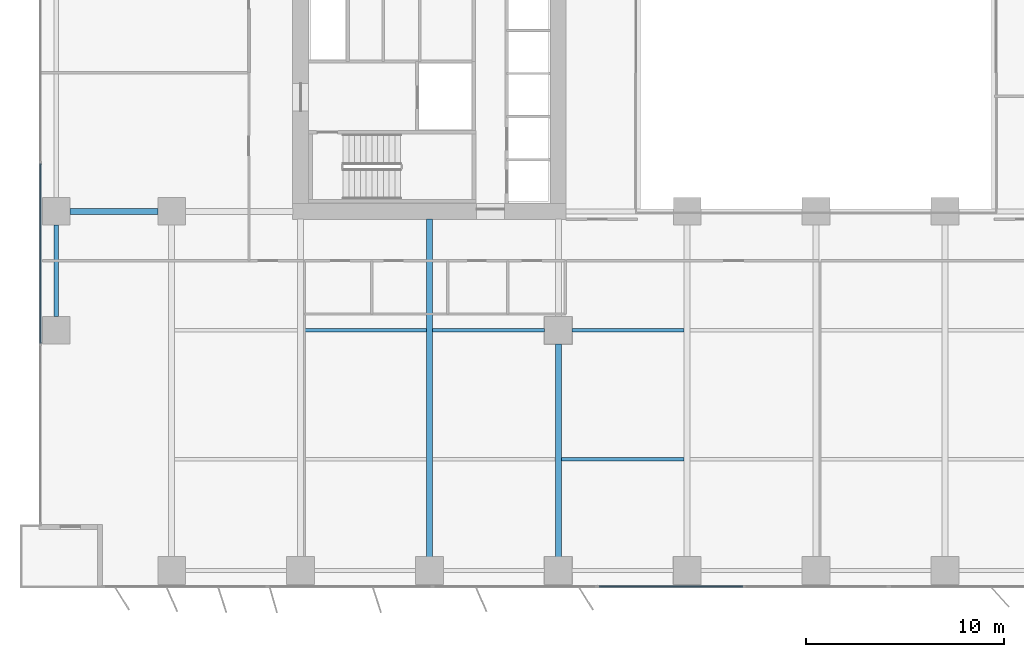
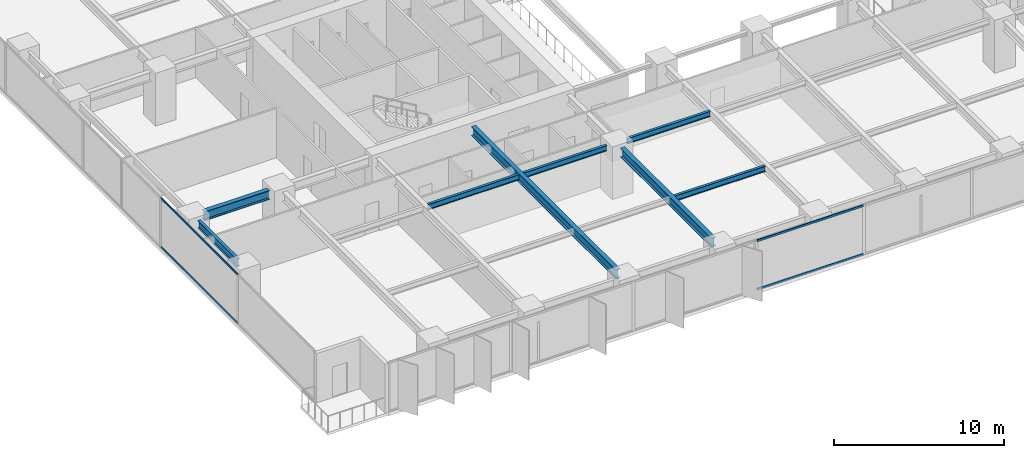
# One storey, part 3 of 21: 8 beams, 4 members, 2 elements without a shape of their own.
"""IFC4 building model written with IfcOpenShell, lengths in metres."""

from ifc_helpers import new_model, si_unit, direction, frame, origin, origin_2d, place, context, subcontext, project, spatial, rectangle, i_section, extrude, material, layer, layer_set, material_profile, profile_set, type_object, element, aggregate, save


model = new_model("IFC4")

# Units and contexts
model_context = context("Model", 3, precision=1e-05, world=origin(), true_north=direction((0.0, 1.0)))
body_context = subcontext(model_context, "Body", "Model", "MODEL_VIEW")
ifc_project = project(units=[si_unit("LENGTHUNIT", "METRE"), si_unit("AREAUNIT", "SQUARE_METRE"), si_unit("VOLUMEUNIT", "CUBIC_METRE"), si_unit("PLANEANGLEUNIT", "RADIAN"), si_unit("MASSUNIT", "GRAM", prefix="KILO")], contexts=[model_context])

# Site, building, storey
site_placement = place(None, origin())
site = spatial("IfcSite", under=ifc_project, at=site_placement, CompositionType="ELEMENT")
building_placement = place(site_placement, origin())
building = spatial("IfcBuilding", under=site, at=building_placement, Name="Putna Gate Headquarters", CompositionType="ELEMENT")
storey_placement = place(building_placement, frame((0.0, 0.0, 39.199951171875)))
storey = spatial("IfcBuildingStorey", under=building, at=storey_placement, Name="L08", CompositionType="ELEMENT", Elevation=39.199951171875)

# Beams
ifc_material_1 = material(Name="Steel S355J2", Category="steel")
ifc_material_profile_1 = material_profile(ifc_material_1, i_section(OverallWidth=0.300048828125, OverallDepth=0.64990234375, WebThickness=0.01611328125, FlangeThickness=0.031005859375, at=origin_2d()), Name="Steel S355J2")
ifc_profile_set_1 = profile_set([ifc_material_profile_1], Name="Steel S355J2")
beam_type_1 = type_object("IfcBeamType", Name="BM-GIRD-Z1-HEB650", PredefinedType="USERDEFINED", material=ifc_profile_set_1)
beam_1_placement = place(storey_placement, frame((1.367919921875, 19.0, 3.22509765625), z_axis=(1.0, 0.0, 0.0), x_axis=(0.0, 1.0, 0.0)))
element("IfcBeam", 1, at=beam_1_placement, inside=storey, type_object=beam_type_1, Name="L08 West Wing Girder Y19-1", ObjectType="GIRDER", PredefinedType="USERDEFINED", context=body_context, shape_type="SweptSolid", body=[
    extrude(i_section(OverallWidth=0.300048828125, OverallDepth=0.64990234375, WebThickness=0.01611328125, FlangeThickness=0.031005859375, at=origin_2d()), origin(), (0.0, 0.0, 1.0), 4.444091796875),
])
beam_2_placement = place(storey_placement, frame((19.5, 1.568115234375, 3.22509765625), z_axis=(0.0, 1.0, 0.0), x_axis=(-1.0, 0.0, 0.0)))
element("IfcBeam", 2, at=beam_2_placement, inside=storey, type_object=beam_type_1, Name="L08 South Primary Girder X19", ObjectType="GIRDER", PredefinedType="USERDEFINED", context=body_context, shape_type="SweptSolid", body=[
    extrude(i_section(OverallWidth=0.300048828125, OverallDepth=0.64990234375, WebThickness=0.01611328125, FlangeThickness=0.031005859375, at=origin_2d()), origin(), (0.0, 0.0, 1.0), 17.046875),
])
beam_3_placement = place(storey_placement, frame((26.0, 1.568115234375, 3.22509765625), z_axis=(0.0, 1.0, 0.0), x_axis=(-1.0, 0.0, 0.0)))
element("IfcBeam", 3, at=beam_3_placement, inside=storey, type_object=beam_type_1, Name="L08 South Primary Girder X26-1", ObjectType="GIRDER", PredefinedType="USERDEFINED", context=body_context, shape_type="SweptSolid", body=[
    extrude(i_section(OverallWidth=0.300048828125, OverallDepth=0.64990234375, WebThickness=0.01611328125, FlangeThickness=0.031005859375, at=origin_2d()), origin(), (0.0, 0.0, 1.0), 10.743896484375),
])
ifc_material_profile_2 = material_profile(ifc_material_1, i_section(OverallWidth=0.179931640625, OverallDepth=0.39990234375, WebThickness=0.008544921875, FlangeThickness=0.013427734375, at=origin_2d()), Name="Steel S355J2")
ifc_profile_set_2 = profile_set([ifc_material_profile_2], Name="Steel S355J2")
beam_type_2 = type_object("IfcBeamType", Name="BM-SEC-Z1-IPE400", PredefinedType="BEAM", material=ifc_profile_set_2)
beam_4_placement = place(storey_placement, frame((13.154052734375, 13.0, 3.35009765625), z_axis=(1.0, 0.0, 0.0), x_axis=(0.0, 1.0, 0.0)))
element("IfcBeam", 4, at=beam_4_placement, inside=storey, type_object=beam_type_2, Name="L08 South Secondary Beam 2", PredefinedType="BEAM", context=body_context, shape_type="SweptSolid", body=[
    extrude(i_section(OverallWidth=0.179931640625, OverallDepth=0.39990234375, WebThickness=0.008544921875, FlangeThickness=0.013427734375, at=origin_2d()), origin(), (0.0, 0.0, 1.0), 6.19189453125),
])
beam_5_placement = place(storey_placement, frame((19.654052734375, 13.0, 3.35009765625), z_axis=(1.0, 0.0, 0.0), x_axis=(0.0, 1.0, 0.0)))
element("IfcBeam", 5, at=beam_5_placement, inside=storey, type_object=beam_type_2, Name="L08 South Secondary Beam 3", PredefinedType="BEAM", context=body_context, shape_type="SweptSolid", body=[
    extrude(i_section(OverallWidth=0.179931640625, OverallDepth=0.39990234375, WebThickness=0.008544921875, FlangeThickness=0.013427734375, at=origin_2d()), origin(), (0.0, 0.0, 1.0), 5.657958984375),
])
beam_6_placement = place(storey_placement, frame((26.154052734375, 6.5, 3.35009765625), z_axis=(1.0, 0.0, 0.0), x_axis=(0.0, 1.0, 0.0)))
element("IfcBeam", 6, at=beam_6_placement, inside=storey, type_object=beam_type_2, Name="L08 South Secondary Beam 4", PredefinedType="BEAM", context=body_context, shape_type="SweptSolid", body=[
    extrude(i_section(OverallWidth=0.179931640625, OverallDepth=0.39990234375, WebThickness=0.008544921875, FlangeThickness=0.013427734375, at=origin_2d()), origin(), (0.0, 0.0, 1.0), 6.19189453125),
])
beam_7_placement = place(storey_placement, frame((26.68798828125, 13.0, 3.35009765625), z_axis=(1.0, 0.0, 0.0), x_axis=(0.0, 1.0, 0.0)))
element("IfcBeam", 7, at=beam_7_placement, inside=storey, type_object=beam_type_2, Name="L08 South Secondary Beam 4", PredefinedType="BEAM", context=body_context, shape_type="SweptSolid", body=[
    extrude(i_section(OverallWidth=0.179931640625, OverallDepth=0.39990234375, WebThickness=0.008544921875, FlangeThickness=0.013427734375, at=origin_2d()), origin(), (0.0, 0.0, 1.0), 5.657958984375),
])
ifc_material_profile_3 = material_profile(ifc_material_1, i_section(OverallWidth=0.2099609375, OverallDepth=0.550048828125, WebThickness=0.010986328125, FlangeThickness=0.01708984375, at=origin_2d()), Name="Steel S355J2")
ifc_profile_set_3 = profile_set([ifc_material_profile_3], Name="Steel S355J2")
beam_type_3 = type_object("IfcBeamType", Name="BM-SPAN-Z1-IPE550", PredefinedType="SPANDREL", material=ifc_profile_set_3)
beam_8_placement = place(storey_placement, frame((0.679931640625, 13.68798828125, 3.275146484375), z_axis=(0.0, 1.0, 0.0), x_axis=(-1.0, 0.0, 0.0)))
element("IfcBeam", 8, at=beam_8_placement, inside=storey, type_object=beam_type_3, Name="L08 W End Spandrel 1", PredefinedType="SPANDREL", context=body_context, shape_type="SweptSolid", body=[
    extrude(i_section(OverallWidth=0.2099609375, OverallDepth=0.550048828125, WebThickness=0.010986328125, FlangeThickness=0.01708984375, at=origin_2d()), origin(), (0.0, 0.0, 1.0), 4.6240234375),
])

# Curtain wall, members
ifc_material_2 = material(Name="Anodised bronze aluminium curtain wall", Category="aluminium")
ifc_layer_1 = layer(ifc_material_2, 0.179931640625)
ifc_layer_set_1 = layer_set([ifc_layer_1], Name="Anodised bronze aluminium curtain wall")
curtain_wall_type_1 = type_object("IfcCurtainWallType", Name="CW-SYS-Z1", PredefinedType="USERDEFINED", material=ifc_layer_set_1)
curtain_wall_1_placement = place(storey_placement, origin())
curtain_wall_1 = element("IfcCurtainWall", 9, at=curtain_wall_1_placement, inside=storey, type_object=curtain_wall_type_1, Name="L08 West Curtain Wall", ObjectType="STICK CURTAIN WALL", PredefinedType="USERDEFINED")
ifc_material_3 = material(Name="Anodised bronze aluminium EN AW-6060", Category="aluminium")
ifc_material_profile_4 = material_profile(ifc_material_3, rectangle(XDim=0.06494140625, YDim=0.1201171875, at=origin_2d()), Name="Anodised bronze aluminium EN AW-6060")
ifc_profile_set_4 = profile_set([ifc_material_profile_4], Name="Anodised bronze aluminium EN AW-6060")
member_type_1 = type_object("IfcMemberType", Name="TRAN-CWT-1", PredefinedType="USERDEFINED", material=ifc_profile_set_4)
member_1_placement = place(storey_placement, frame((-0.1201171875, 12.35498046875, 0.032470703125), z_axis=(0.0, 1.0, 0.0), x_axis=(-1.0, 0.0, 0.0)))
member_1 = element("IfcMember", 10, at=member_1_placement, type_object=member_type_1, Name="CWS-1 transom 2.1", ObjectType="TRANSOM", PredefinedType="USERDEFINED", context=body_context, shape_type="SweptSolid", body=[
    extrude(rectangle(XDim=0.06494140625, YDim=0.1201171875, at=origin_2d()), origin(), (0.0, 0.0, 1.0), 9.050048828125),
])
member_2_placement = place(storey_placement, frame((-0.1201171875, 12.35498046875, 3.517578125), z_axis=(0.0, 1.0, 0.0), x_axis=(-1.0, 0.0, 0.0)))
member_2 = element("IfcMember", 11, at=member_2_placement, type_object=member_type_1, Name="CWS-1 transom 2.2", ObjectType="TRANSOM", PredefinedType="USERDEFINED", context=body_context, shape_type="SweptSolid", body=[
    extrude(rectangle(XDim=0.06494140625, YDim=0.1201171875, at=origin_2d()), origin(), (0.0, 0.0, 1.0), 9.050048828125),
])
aggregate(curtain_wall_1, [member_1, member_2])

ifc_layer_2 = layer(ifc_material_2, 0.179931640625)
ifc_layer_set_2 = layer_set([ifc_layer_2], Name="Anodised bronze aluminium curtain wall")
curtain_wall_type_2 = type_object("IfcCurtainWallType", Name="CW-SYS-ATR", PredefinedType="USERDEFINED", material=ifc_layer_set_2)
curtain_wall_2_placement = place(storey_placement, origin())
curtain_wall_2 = element("IfcCurtainWall", 12, at=curtain_wall_2_placement, inside=storey, type_object=curtain_wall_type_2, Name="L08 South Atrium Clear Glazing", ObjectType="ATRIUM GLAZING", PredefinedType="USERDEFINED")
ifc_material_profile_5 = material_profile(ifc_material_3, rectangle(XDim=0.070068359375, YDim=0.139892578125, at=origin_2d()), Name="Anodised bronze aluminium EN AW-6060")
ifc_profile_set_5 = profile_set([ifc_material_profile_5], Name="Anodised bronze aluminium EN AW-6060")
member_type_2 = type_object("IfcMemberType", Name="TRAN-CWT-AT", PredefinedType="USERDEFINED", material=ifc_profile_set_5)
member_3_placement = place(storey_placement, frame((28.070068359375, 0.080078125, 0.03515625), z_axis=(1.0, 0.0, 0.0), x_axis=(0.0, 1.0, 0.0)))
member_3 = element("IfcMember", 13, at=member_3_placement, type_object=member_type_2, Name="CWS-AT transom 1.1", ObjectType="TRANSOM", PredefinedType="USERDEFINED", context=body_context, shape_type="SweptSolid", body=[
    extrude(rectangle(XDim=0.070068359375, YDim=0.139892578125, at=origin_2d()), origin(), (0.0, 0.0, 1.0), 7.228271484375),
])
member_4_placement = place(storey_placement, frame((28.070068359375, 0.080078125, 3.51513671875), z_axis=(1.0, 0.0, 0.0), x_axis=(0.0, 1.0, 0.0)))
member_4 = element("IfcMember", 14, at=member_4_placement, type_object=member_type_2, Name="CWS-AT transom 1.2", ObjectType="TRANSOM", PredefinedType="USERDEFINED", context=body_context, shape_type="SweptSolid", body=[
    extrude(rectangle(XDim=0.070068359375, YDim=0.139892578125, at=origin_2d()), origin(), (0.0, 0.0, 1.0), 7.228271484375),
])
aggregate(curtain_wall_2, [member_3, member_4])

save(model, "model.ifc")
